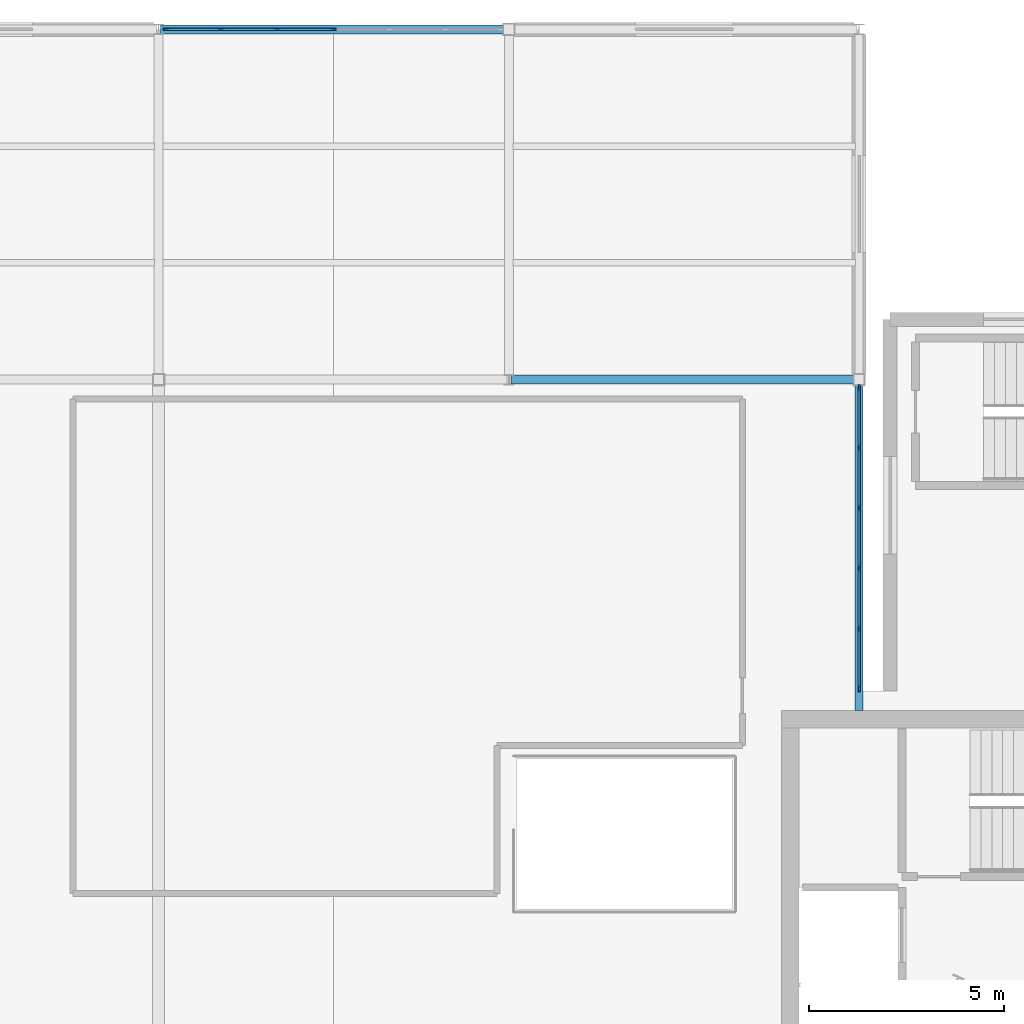
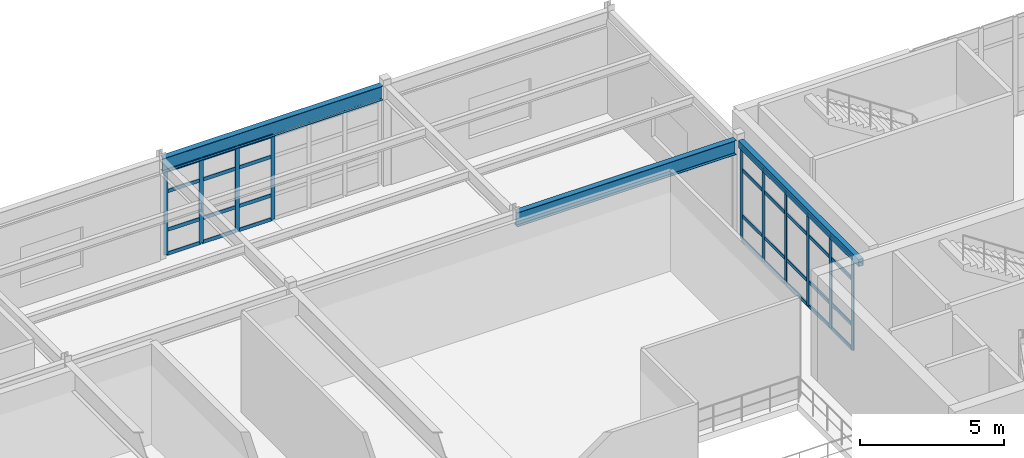
# One storey, part 33 of 81: 42 members, 3 beams, 2 elements without a shape of their own.
"""IFC4 building model written with IfcOpenShell, lengths in metres."""

from ifc_helpers import new_model, si_unit, direction, frame, origin, origin_2d, place, context, subcontext, project, spatial, rectangle, hollow_rectangle, i_section, extrude, material, material_profile, profile_set, type_object, element, aggregate, save


model = new_model("IFC4")

# Units and contexts
model_context = context("Model", 3, precision=1e-05, world=origin(), true_north=direction((0.0, 1.0)))
body_context = subcontext(model_context, "Body", "Model", "MODEL_VIEW")
ifc_project = project(units=[si_unit("LENGTHUNIT", "METRE"), si_unit("AREAUNIT", "SQUARE_METRE"), si_unit("VOLUMEUNIT", "CUBIC_METRE"), si_unit("PLANEANGLEUNIT", "RADIAN"), si_unit("MASSUNIT", "GRAM", prefix="KILO")], contexts=[model_context])

# Site, building, storey
site_placement = place(None, origin())
site = spatial("IfcSite", under=ifc_project, at=site_placement, CompositionType="ELEMENT")
building_placement = place(site_placement, origin())
building = spatial("IfcBuilding", under=site, at=building_placement, Name="Glasvene Arena", CompositionType="ELEMENT")
storey_placement = place(building_placement, frame((0.0, 0.0, 15.0)))
storey = spatial("IfcBuildingStorey", under=building, at=storey_placement, Name="L03", CompositionType="ELEMENT", Elevation=15.0)

# Beams
ifc_material_1 = material(Name="Steel S355J2", Category="steel")
ifc_material_profile_1 = material_profile(ifc_material_1, i_section(OverallWidth=0.228271484375, OverallDepth=0.607666015625, WebThickness=0.010986328125, FlangeThickness=0.017333984375, FilletRadius=0.0126953125, at=origin_2d()), Name="UKB 610x229x113")
ifc_profile_set_1 = profile_set([ifc_material_profile_1], Name="Steel S355J2")
beam_type_1 = type_object("IfcBeamType", Name="BM-GIRD-610", PredefinedType="BEAM", material=ifc_profile_set_1)
for number, where, z_axis, x_axis, name in (
    (1, (36.050048828125, 109.0, 3.9462890625), (1.0, 0.0, 0.0), (0.0, 1.0, 0.0), "Primary X girder L03-0956"),
    (2, (27.050048828125, 118.0, 3.9462890625), (1.0, 0.0, 0.0), (0.0, 1.0, 0.0), "Primary X girder L03-0960"),
):
    element("IfcBeam", number, at=place(storey_placement, frame(where, z_axis=z_axis, x_axis=x_axis)), inside=storey, type_object=beam_type_1, Name=name, PredefinedType="BEAM", context=body_context, shape_type="SweptSolid", body=[
        extrude(i_section(OverallWidth=0.228271484375, OverallDepth=0.607666015625, WebThickness=0.010986328125, FlangeThickness=0.017333984375, FilletRadius=0.0126953125, at=origin_2d()), origin(), (0.0, 0.0, 1.0), 8.804931640625),
    ])
ifc_material_profile_2 = material_profile(ifc_material_1, hollow_rectangle(XDim=0.199951171875, YDim=0.300048828125, WallThickness=0.012451171875, at=origin_2d()), Name="RHS 300x200x12.5")
ifc_profile_set_2 = profile_set([ifc_material_profile_2], Name="Steel S355J2")
beam_type_2 = type_object("IfcBeamType", Name="BM-SPAND-300", PredefinedType="SPANDREL", material=ifc_profile_set_2)
beam_placement = place(storey_placement, frame((45.0, 100.4951171875, 4.10009765625), z_axis=(0.0, 1.0, 0.0), x_axis=(-1.0, 0.0, 0.0)))
element("IfcBeam", 3, at=beam_placement, inside=storey, type_object=beam_type_2, Name="Primary Y girder L03-0986", PredefinedType="SPANDREL", context=body_context, shape_type="SweptSolid", body=[
    extrude(hollow_rectangle(XDim=0.199951171875, YDim=0.300048828125, WallThickness=0.012451171875, at=origin_2d()), origin(), (0.0, 0.0, 1.0), 8.35986328125),
])

# Curtain wall, members
ifc_material_2 = material(Name="Low-emissivity laminated double glazing", Category="glass")
curtain_wall_type_1 = type_object("IfcCurtainWallType", Name="CW-FAC-L03-864x358", PredefinedType="USERDEFINED", material=ifc_material_2)
curtain_wall_1_placement = place(storey_placement, frame((27.170166015625, 118.0, 0.0)))
curtain_wall_1 = element("IfcCurtainWall", 4, at=curtain_wall_1_placement, inside=storey, type_object=curtain_wall_type_1, Name="Unitised curtain wall CW-F-L03-150-315-1180-13", ObjectType="CURTAIN WALL", PredefinedType="USERDEFINED")
ifc_material_3 = material(Name="Anodised architectural aluminium", Category="aluminium")
ifc_material_profile_3 = material_profile(ifc_material_3, rectangle(XDim=0.050048828125, YDim=0.159912109375, at=origin_2d()), Name="ALU MULLION 50x160")
ifc_profile_set_3 = profile_set([ifc_material_profile_3], Name="Anodised architectural aluminium")
member_type_1 = type_object("IfcMemberType", Name="CW-MUL-150", PredefinedType="MULLION", material=ifc_profile_set_3)
member_1_placement = place(storey_placement, frame((27.1953125, 118.0, 0.06005859375), z_axis=(0.0, 0.0, 1.0), x_axis=(0.0, 1.0, 0.0)))
member_1 = element("IfcMember", 5, at=member_1_placement, type_object=member_type_1, Name="CW-032 mullion 1", PredefinedType="MULLION", context=body_context, shape_type="SweptSolid", body=[
    extrude(rectangle(XDim=0.050048828125, YDim=0.159912109375, at=origin_2d()), origin(), (0.0, 0.0, 1.0), 3.576904296875),
])
member_2_placement = place(storey_placement, frame((28.60986328125, 118.0, 0.06005859375), z_axis=(0.0, 0.0, 1.0), x_axis=(0.0, 1.0, 0.0)))
member_2 = element("IfcMember", 6, at=member_2_placement, type_object=member_type_1, Name="CW-032 mullion 2", PredefinedType="MULLION", context=body_context, shape_type="SweptSolid", body=[
    extrude(rectangle(XDim=0.050048828125, YDim=0.159912109375, at=origin_2d()), origin(), (0.0, 0.0, 1.0), 3.576904296875),
])
member_3_placement = place(storey_placement, frame((30.049560546875, 118.0, 0.06005859375), z_axis=(0.0, 0.0, 1.0), x_axis=(0.0, 1.0, 0.0)))
member_3 = element("IfcMember", 7, at=member_3_placement, type_object=member_type_1, Name="CW-032 mullion 3", PredefinedType="MULLION", context=body_context, shape_type="SweptSolid", body=[
    extrude(rectangle(XDim=0.050048828125, YDim=0.159912109375, at=origin_2d()), origin(), (0.0, 0.0, 1.0), 3.576904296875),
])
member_4_placement = place(storey_placement, frame((31.489013671875, 118.0, 0.06005859375), z_axis=(0.0, 0.0, 1.0), x_axis=(0.0, 1.0, 0.0)))
member_4 = element("IfcMember", 8, at=member_4_placement, type_object=member_type_1, Name="CW-032 mullion 4", PredefinedType="MULLION", context=body_context, shape_type="SweptSolid", body=[
    extrude(rectangle(XDim=0.050048828125, YDim=0.159912109375, at=origin_2d()), origin(), (0.0, 0.0, 1.0), 3.576904296875),
])

curtain_wall_type_2 = type_object("IfcCurtainWallType", Name="CW-FAC-L03-777x388", PredefinedType="USERDEFINED", material=ifc_material_2)
curtain_wall_2_placement = place(storey_placement, frame((45.0, 108.80810546875, 0.0)))
curtain_wall_2 = element("IfcCurtainWall", 9, at=curtain_wall_2_placement, inside=storey, type_object=curtain_wall_type_2, Name="Unitised curtain wall CW-F-L03-150-450-1049-16", ObjectType="CURTAIN WALL", PredefinedType="USERDEFINED")
member_5_placement = place(storey_placement, frame((45.0, 108.782958984375, 0.06005859375), z_axis=(0.0, 0.0, 1.0), x_axis=(1.0, 0.0, 0.0)))
member_5 = element("IfcMember", 10, at=member_5_placement, type_object=member_type_1, Name="CW-034 mullion 1", PredefinedType="MULLION", context=body_context, shape_type="SweptSolid", body=[
    extrude(rectangle(XDim=0.050048828125, YDim=0.159912109375, at=origin_2d()), origin(), (0.0, 0.0, 1.0), 3.885009765625),
])
member_6_placement = place(storey_placement, frame((45.0, 107.25439453125, 0.06005859375), z_axis=(0.0, 0.0, 1.0), x_axis=(1.0, 0.0, 0.0)))
member_6 = element("IfcMember", 11, at=member_6_placement, type_object=member_type_1, Name="CW-034 mullion 2", PredefinedType="MULLION", context=body_context, shape_type="SweptSolid", body=[
    extrude(rectangle(XDim=0.050048828125, YDim=0.159912109375, at=origin_2d()), origin(), (0.0, 0.0, 1.0), 3.885009765625),
])
member_7_placement = place(storey_placement, frame((45.0, 105.70068359375, 0.06005859375), z_axis=(0.0, 0.0, 1.0), x_axis=(1.0, 0.0, 0.0)))
member_7 = element("IfcMember", 12, at=member_7_placement, type_object=member_type_1, Name="CW-034 mullion 3", PredefinedType="MULLION", context=body_context, shape_type="SweptSolid", body=[
    extrude(rectangle(XDim=0.050048828125, YDim=0.159912109375, at=origin_2d()), origin(), (0.0, 0.0, 1.0), 3.885009765625),
])
member_8_placement = place(storey_placement, frame((45.0, 104.147216796875, 0.06005859375), z_axis=(0.0, 0.0, 1.0), x_axis=(1.0, 0.0, 0.0)))
member_8 = element("IfcMember", 13, at=member_8_placement, type_object=member_type_1, Name="CW-034 mullion 4", PredefinedType="MULLION", context=body_context, shape_type="SweptSolid", body=[
    extrude(rectangle(XDim=0.050048828125, YDim=0.159912109375, at=origin_2d()), origin(), (0.0, 0.0, 1.0), 3.885009765625),
])
member_9_placement = place(storey_placement, frame((45.0, 102.593505859375, 0.06005859375), z_axis=(0.0, 0.0, 1.0), x_axis=(1.0, 0.0, 0.0)))
member_9 = element("IfcMember", 14, at=member_9_placement, type_object=member_type_1, Name="CW-034 mullion 5", PredefinedType="MULLION", context=body_context, shape_type="SweptSolid", body=[
    extrude(rectangle(XDim=0.050048828125, YDim=0.159912109375, at=origin_2d()), origin(), (0.0, 0.0, 1.0), 3.885009765625),
])
member_10_placement = place(storey_placement, frame((45.0, 101.06494140625, 0.06005859375), z_axis=(0.0, 0.0, 1.0), x_axis=(1.0, 0.0, 0.0)))
member_10 = element("IfcMember", 15, at=member_10_placement, type_object=member_type_1, Name="CW-034 mullion 6", PredefinedType="MULLION", context=body_context, shape_type="SweptSolid", body=[
    extrude(rectangle(XDim=0.050048828125, YDim=0.159912109375, at=origin_2d()), origin(), (0.0, 0.0, 1.0), 3.885009765625),
])

# Member
ifc_material_profile_4 = material_profile(ifc_material_3, rectangle(XDim=0.050048828125, YDim=0.14990234375, at=origin_2d()), Name="ALU TRANSOM 50x150")
ifc_profile_set_4 = profile_set([ifc_material_profile_4], Name="Anodised architectural aluminium")
member_type_2 = type_object("IfcMemberType", Name="CW-TRN-150", PredefinedType="USERDEFINED", material=ifc_profile_set_4)
member_11_placement = place(storey_placement, frame((27.22021484375, 118.0, 0.0849609375), z_axis=(1.0, 0.0, 0.0), x_axis=(0.0, 1.0, 0.0)))
member_11 = element("IfcMember", 16, at=member_11_placement, type_object=member_type_2, Name="CW-032 transom 1.1", ObjectType="TRANSOM", PredefinedType="USERDEFINED", context=body_context, shape_type="SweptSolid", body=[
    extrude(rectangle(XDim=0.050048828125, YDim=0.14990234375, at=origin_2d()), origin(), (0.0, 0.0, 1.0), 1.364501953125),
])

member_12_placement = place(storey_placement, frame((27.22021484375, 118.0, 1.10009765625), z_axis=(1.0, 0.0, 0.0), x_axis=(0.0, 1.0, 0.0)))
member_12 = element("IfcMember", 17, at=member_12_placement, type_object=member_type_2, Name="CW-032 transom 1.2", ObjectType="TRANSOM", PredefinedType="USERDEFINED", context=body_context, shape_type="SweptSolid", body=[
    extrude(rectangle(XDim=0.050048828125, YDim=0.14990234375, at=origin_2d()), origin(), (0.0, 0.0, 1.0), 1.364501953125),
])

member_13_placement = place(storey_placement, frame((27.22021484375, 118.0, 2.737060546875), z_axis=(1.0, 0.0, 0.0), x_axis=(0.0, 1.0, 0.0)))
member_13 = element("IfcMember", 18, at=member_13_placement, type_object=member_type_2, Name="CW-032 transom 1.3", ObjectType="TRANSOM", PredefinedType="USERDEFINED", context=body_context, shape_type="SweptSolid", body=[
    extrude(rectangle(XDim=0.050048828125, YDim=0.14990234375, at=origin_2d()), origin(), (0.0, 0.0, 1.0), 1.364501953125),
])

member_14_placement = place(storey_placement, frame((27.22021484375, 118.0, 3.612060546875), z_axis=(1.0, 0.0, 0.0), x_axis=(0.0, 1.0, 0.0)))
member_14 = element("IfcMember", 19, at=member_14_placement, type_object=member_type_2, Name="CW-032 transom 1.4", ObjectType="TRANSOM", PredefinedType="USERDEFINED", context=body_context, shape_type="SweptSolid", body=[
    extrude(rectangle(XDim=0.050048828125, YDim=0.14990234375, at=origin_2d()), origin(), (0.0, 0.0, 1.0), 1.364501953125),
])

member_15_placement = place(storey_placement, frame((28.634765625, 118.0, 0.0849609375), z_axis=(1.0, 0.0, 0.0), x_axis=(0.0, 1.0, 0.0)))
member_15 = element("IfcMember", 20, at=member_15_placement, type_object=member_type_2, Name="CW-032 transom 2.1", ObjectType="TRANSOM", PredefinedType="USERDEFINED", context=body_context, shape_type="SweptSolid", body=[
    extrude(rectangle(XDim=0.050048828125, YDim=0.14990234375, at=origin_2d()), origin(), (0.0, 0.0, 1.0), 1.3896484375),
])

member_16_placement = place(storey_placement, frame((28.634765625, 118.0, 1.10009765625), z_axis=(1.0, 0.0, 0.0), x_axis=(0.0, 1.0, 0.0)))
member_16 = element("IfcMember", 21, at=member_16_placement, type_object=member_type_2, Name="CW-032 transom 2.2", ObjectType="TRANSOM", PredefinedType="USERDEFINED", context=body_context, shape_type="SweptSolid", body=[
    extrude(rectangle(XDim=0.050048828125, YDim=0.14990234375, at=origin_2d()), origin(), (0.0, 0.0, 1.0), 1.3896484375),
])

member_17_placement = place(storey_placement, frame((28.634765625, 118.0, 2.737060546875), z_axis=(1.0, 0.0, 0.0), x_axis=(0.0, 1.0, 0.0)))
member_17 = element("IfcMember", 22, at=member_17_placement, type_object=member_type_2, Name="CW-032 transom 2.3", ObjectType="TRANSOM", PredefinedType="USERDEFINED", context=body_context, shape_type="SweptSolid", body=[
    extrude(rectangle(XDim=0.050048828125, YDim=0.14990234375, at=origin_2d()), origin(), (0.0, 0.0, 1.0), 1.3896484375),
])

member_18_placement = place(storey_placement, frame((28.634765625, 118.0, 3.612060546875), z_axis=(1.0, 0.0, 0.0), x_axis=(0.0, 1.0, 0.0)))
member_18 = element("IfcMember", 23, at=member_18_placement, type_object=member_type_2, Name="CW-032 transom 2.4", ObjectType="TRANSOM", PredefinedType="USERDEFINED", context=body_context, shape_type="SweptSolid", body=[
    extrude(rectangle(XDim=0.050048828125, YDim=0.14990234375, at=origin_2d()), origin(), (0.0, 0.0, 1.0), 1.3896484375),
])

member_19_placement = place(storey_placement, frame((30.074462890625, 118.0, 0.0849609375), z_axis=(1.0, 0.0, 0.0), x_axis=(0.0, 1.0, 0.0)))
member_19 = element("IfcMember", 24, at=member_19_placement, type_object=member_type_2, Name="CW-032 transom 3.1", ObjectType="TRANSOM", PredefinedType="USERDEFINED", context=body_context, shape_type="SweptSolid", body=[
    extrude(rectangle(XDim=0.050048828125, YDim=0.14990234375, at=origin_2d()), origin(), (0.0, 0.0, 1.0), 1.3896484375),
])

member_20_placement = place(storey_placement, frame((30.074462890625, 118.0, 1.10009765625), z_axis=(1.0, 0.0, 0.0), x_axis=(0.0, 1.0, 0.0)))
member_20 = element("IfcMember", 25, at=member_20_placement, type_object=member_type_2, Name="CW-032 transom 3.2", ObjectType="TRANSOM", PredefinedType="USERDEFINED", context=body_context, shape_type="SweptSolid", body=[
    extrude(rectangle(XDim=0.050048828125, YDim=0.14990234375, at=origin_2d()), origin(), (0.0, 0.0, 1.0), 1.3896484375),
])

member_21_placement = place(storey_placement, frame((30.074462890625, 118.0, 2.737060546875), z_axis=(1.0, 0.0, 0.0), x_axis=(0.0, 1.0, 0.0)))
member_21 = element("IfcMember", 26, at=member_21_placement, type_object=member_type_2, Name="CW-032 transom 3.3", ObjectType="TRANSOM", PredefinedType="USERDEFINED", context=body_context, shape_type="SweptSolid", body=[
    extrude(rectangle(XDim=0.050048828125, YDim=0.14990234375, at=origin_2d()), origin(), (0.0, 0.0, 1.0), 1.3896484375),
])

member_22_placement = place(storey_placement, frame((30.074462890625, 118.0, 3.612060546875), z_axis=(1.0, 0.0, 0.0), x_axis=(0.0, 1.0, 0.0)))
member_22 = element("IfcMember", 27, at=member_22_placement, type_object=member_type_2, Name="CW-032 transom 3.4", ObjectType="TRANSOM", PredefinedType="USERDEFINED", context=body_context, shape_type="SweptSolid", body=[
    extrude(rectangle(XDim=0.050048828125, YDim=0.14990234375, at=origin_2d()), origin(), (0.0, 0.0, 1.0), 1.3896484375),
])

aggregate(curtain_wall_1, [member_1, member_2, member_3, member_4, member_11, member_12, member_13, member_14, member_15, member_16, member_17, member_18, member_19, member_20, member_21, member_22])

member_23_placement = place(storey_placement, frame((45.0, 108.758056640625, 0.0849609375), z_axis=(0.0, -1.0, 0.0), x_axis=(1.0, 0.0, 0.0)))
member_23 = element("IfcMember", 28, at=member_23_placement, type_object=member_type_2, Name="CW-034 transom 1.1", ObjectType="TRANSOM", PredefinedType="USERDEFINED", context=body_context, shape_type="SweptSolid", body=[
    extrude(rectangle(XDim=0.050048828125, YDim=0.14990234375, at=origin_2d()), origin(), (0.0, 0.0, 1.0), 1.478759765625),
])

member_24_placement = place(storey_placement, frame((45.0, 108.758056640625, 1.10009765625), z_axis=(0.0, -1.0, 0.0), x_axis=(1.0, 0.0, 0.0)))
member_24 = element("IfcMember", 29, at=member_24_placement, type_object=member_type_2, Name="CW-034 transom 1.2", ObjectType="TRANSOM", PredefinedType="USERDEFINED", context=body_context, shape_type="SweptSolid", body=[
    extrude(rectangle(XDim=0.050048828125, YDim=0.14990234375, at=origin_2d()), origin(), (0.0, 0.0, 1.0), 1.478759765625),
])

member_25_placement = place(storey_placement, frame((45.0, 108.758056640625, 3.044921875), z_axis=(0.0, -1.0, 0.0), x_axis=(1.0, 0.0, 0.0)))
member_25 = element("IfcMember", 30, at=member_25_placement, type_object=member_type_2, Name="CW-034 transom 1.3", ObjectType="TRANSOM", PredefinedType="USERDEFINED", context=body_context, shape_type="SweptSolid", body=[
    extrude(rectangle(XDim=0.050048828125, YDim=0.14990234375, at=origin_2d()), origin(), (0.0, 0.0, 1.0), 1.478759765625),
])

member_26_placement = place(storey_placement, frame((45.0, 108.758056640625, 3.919921875), z_axis=(0.0, -1.0, 0.0), x_axis=(1.0, 0.0, 0.0)))
member_26 = element("IfcMember", 31, at=member_26_placement, type_object=member_type_2, Name="CW-034 transom 1.4", ObjectType="TRANSOM", PredefinedType="USERDEFINED", context=body_context, shape_type="SweptSolid", body=[
    extrude(rectangle(XDim=0.050048828125, YDim=0.14990234375, at=origin_2d()), origin(), (0.0, 0.0, 1.0), 1.478759765625),
])

member_27_placement = place(storey_placement, frame((45.0, 107.2294921875, 0.0849609375), z_axis=(0.0, -1.0, 0.0), x_axis=(1.0, 0.0, 0.0)))
member_27 = element("IfcMember", 32, at=member_27_placement, type_object=member_type_2, Name="CW-034 transom 2.1", ObjectType="TRANSOM", PredefinedType="USERDEFINED", context=body_context, shape_type="SweptSolid", body=[
    extrude(rectangle(XDim=0.050048828125, YDim=0.14990234375, at=origin_2d()), origin(), (0.0, 0.0, 1.0), 1.503662109375),
])

member_28_placement = place(storey_placement, frame((45.0, 107.2294921875, 1.10009765625), z_axis=(0.0, -1.0, 0.0), x_axis=(1.0, 0.0, 0.0)))
member_28 = element("IfcMember", 33, at=member_28_placement, type_object=member_type_2, Name="CW-034 transom 2.2", ObjectType="TRANSOM", PredefinedType="USERDEFINED", context=body_context, shape_type="SweptSolid", body=[
    extrude(rectangle(XDim=0.050048828125, YDim=0.14990234375, at=origin_2d()), origin(), (0.0, 0.0, 1.0), 1.503662109375),
])

member_29_placement = place(storey_placement, frame((45.0, 107.2294921875, 3.044921875), z_axis=(0.0, -1.0, 0.0), x_axis=(1.0, 0.0, 0.0)))
member_29 = element("IfcMember", 34, at=member_29_placement, type_object=member_type_2, Name="CW-034 transom 2.3", ObjectType="TRANSOM", PredefinedType="USERDEFINED", context=body_context, shape_type="SweptSolid", body=[
    extrude(rectangle(XDim=0.050048828125, YDim=0.14990234375, at=origin_2d()), origin(), (0.0, 0.0, 1.0), 1.503662109375),
])

member_30_placement = place(storey_placement, frame((45.0, 107.2294921875, 3.919921875), z_axis=(0.0, -1.0, 0.0), x_axis=(1.0, 0.0, 0.0)))
member_30 = element("IfcMember", 35, at=member_30_placement, type_object=member_type_2, Name="CW-034 transom 2.4", ObjectType="TRANSOM", PredefinedType="USERDEFINED", context=body_context, shape_type="SweptSolid", body=[
    extrude(rectangle(XDim=0.050048828125, YDim=0.14990234375, at=origin_2d()), origin(), (0.0, 0.0, 1.0), 1.503662109375),
])

member_31_placement = place(storey_placement, frame((45.0, 105.67578125, 0.0849609375), z_axis=(0.0, -1.0, 0.0), x_axis=(1.0, 0.0, 0.0)))
member_31 = element("IfcMember", 36, at=member_31_placement, type_object=member_type_2, Name="CW-034 transom 3.1", ObjectType="TRANSOM", PredefinedType="USERDEFINED", context=body_context, shape_type="SweptSolid", body=[
    extrude(rectangle(XDim=0.050048828125, YDim=0.14990234375, at=origin_2d()), origin(), (0.0, 0.0, 1.0), 1.503662109375),
])

member_32_placement = place(storey_placement, frame((45.0, 105.67578125, 1.10009765625), z_axis=(0.0, -1.0, 0.0), x_axis=(1.0, 0.0, 0.0)))
member_32 = element("IfcMember", 37, at=member_32_placement, type_object=member_type_2, Name="CW-034 transom 3.2", ObjectType="TRANSOM", PredefinedType="USERDEFINED", context=body_context, shape_type="SweptSolid", body=[
    extrude(rectangle(XDim=0.050048828125, YDim=0.14990234375, at=origin_2d()), origin(), (0.0, 0.0, 1.0), 1.503662109375),
])

member_33_placement = place(storey_placement, frame((45.0, 105.67578125, 3.044921875), z_axis=(0.0, -1.0, 0.0), x_axis=(1.0, 0.0, 0.0)))
member_33 = element("IfcMember", 38, at=member_33_placement, type_object=member_type_2, Name="CW-034 transom 3.3", ObjectType="TRANSOM", PredefinedType="USERDEFINED", context=body_context, shape_type="SweptSolid", body=[
    extrude(rectangle(XDim=0.050048828125, YDim=0.14990234375, at=origin_2d()), origin(), (0.0, 0.0, 1.0), 1.503662109375),
])

member_34_placement = place(storey_placement, frame((45.0, 105.67578125, 3.919921875), z_axis=(0.0, -1.0, 0.0), x_axis=(1.0, 0.0, 0.0)))
member_34 = element("IfcMember", 39, at=member_34_placement, type_object=member_type_2, Name="CW-034 transom 3.4", ObjectType="TRANSOM", PredefinedType="USERDEFINED", context=body_context, shape_type="SweptSolid", body=[
    extrude(rectangle(XDim=0.050048828125, YDim=0.14990234375, at=origin_2d()), origin(), (0.0, 0.0, 1.0), 1.503662109375),
])

member_35_placement = place(storey_placement, frame((45.0, 104.122314453125, 0.0849609375), z_axis=(0.0, -1.0, 0.0), x_axis=(1.0, 0.0, 0.0)))
member_35 = element("IfcMember", 40, at=member_35_placement, type_object=member_type_2, Name="CW-034 transom 4.1", ObjectType="TRANSOM", PredefinedType="USERDEFINED", context=body_context, shape_type="SweptSolid", body=[
    extrude(rectangle(XDim=0.050048828125, YDim=0.14990234375, at=origin_2d()), origin(), (0.0, 0.0, 1.0), 1.503662109375),
])

member_36_placement = place(storey_placement, frame((45.0, 104.122314453125, 1.10009765625), z_axis=(0.0, -1.0, 0.0), x_axis=(1.0, 0.0, 0.0)))
member_36 = element("IfcMember", 41, at=member_36_placement, type_object=member_type_2, Name="CW-034 transom 4.2", ObjectType="TRANSOM", PredefinedType="USERDEFINED", context=body_context, shape_type="SweptSolid", body=[
    extrude(rectangle(XDim=0.050048828125, YDim=0.14990234375, at=origin_2d()), origin(), (0.0, 0.0, 1.0), 1.503662109375),
])

member_37_placement = place(storey_placement, frame((45.0, 104.122314453125, 3.044921875), z_axis=(0.0, -1.0, 0.0), x_axis=(1.0, 0.0, 0.0)))
member_37 = element("IfcMember", 42, at=member_37_placement, type_object=member_type_2, Name="CW-034 transom 4.3", ObjectType="TRANSOM", PredefinedType="USERDEFINED", context=body_context, shape_type="SweptSolid", body=[
    extrude(rectangle(XDim=0.050048828125, YDim=0.14990234375, at=origin_2d()), origin(), (0.0, 0.0, 1.0), 1.503662109375),
])

member_38_placement = place(storey_placement, frame((45.0, 104.122314453125, 3.919921875), z_axis=(0.0, -1.0, 0.0), x_axis=(1.0, 0.0, 0.0)))
member_38 = element("IfcMember", 43, at=member_38_placement, type_object=member_type_2, Name="CW-034 transom 4.4", ObjectType="TRANSOM", PredefinedType="USERDEFINED", context=body_context, shape_type="SweptSolid", body=[
    extrude(rectangle(XDim=0.050048828125, YDim=0.14990234375, at=origin_2d()), origin(), (0.0, 0.0, 1.0), 1.503662109375),
])

member_39_placement = place(storey_placement, frame((45.0, 102.568603515625, 0.0849609375), z_axis=(0.0, -1.0, 0.0), x_axis=(1.0, 0.0, 0.0)))
member_39 = element("IfcMember", 44, at=member_39_placement, type_object=member_type_2, Name="CW-034 transom 5.1", ObjectType="TRANSOM", PredefinedType="USERDEFINED", context=body_context, shape_type="SweptSolid", body=[
    extrude(rectangle(XDim=0.050048828125, YDim=0.14990234375, at=origin_2d()), origin(), (0.0, 0.0, 1.0), 1.478515625),
])

member_40_placement = place(storey_placement, frame((45.0, 102.568603515625, 1.10009765625), z_axis=(0.0, -1.0, 0.0), x_axis=(1.0, 0.0, 0.0)))
member_40 = element("IfcMember", 45, at=member_40_placement, type_object=member_type_2, Name="CW-034 transom 5.2", ObjectType="TRANSOM", PredefinedType="USERDEFINED", context=body_context, shape_type="SweptSolid", body=[
    extrude(rectangle(XDim=0.050048828125, YDim=0.14990234375, at=origin_2d()), origin(), (0.0, 0.0, 1.0), 1.478515625),
])

member_41_placement = place(storey_placement, frame((45.0, 102.568603515625, 3.044921875), z_axis=(0.0, -1.0, 0.0), x_axis=(1.0, 0.0, 0.0)))
member_41 = element("IfcMember", 46, at=member_41_placement, type_object=member_type_2, Name="CW-034 transom 5.3", ObjectType="TRANSOM", PredefinedType="USERDEFINED", context=body_context, shape_type="SweptSolid", body=[
    extrude(rectangle(XDim=0.050048828125, YDim=0.14990234375, at=origin_2d()), origin(), (0.0, 0.0, 1.0), 1.478515625),
])

member_42_placement = place(storey_placement, frame((45.0, 102.568603515625, 3.919921875), z_axis=(0.0, -1.0, 0.0), x_axis=(1.0, 0.0, 0.0)))
member_42 = element("IfcMember", 47, at=member_42_placement, type_object=member_type_2, Name="CW-034 transom 5.4", ObjectType="TRANSOM", PredefinedType="USERDEFINED", context=body_context, shape_type="SweptSolid", body=[
    extrude(rectangle(XDim=0.050048828125, YDim=0.14990234375, at=origin_2d()), origin(), (0.0, 0.0, 1.0), 1.478515625),
])

aggregate(curtain_wall_2, [member_5, member_6, member_7, member_8, member_9, member_10, member_23, member_24, member_25, member_26, member_27, member_28, member_29, member_30, member_31, member_32, member_33, member_34, member_35, member_36, member_37, member_38, member_39, member_40, member_41, member_42])

save(model, "model.ifc")
